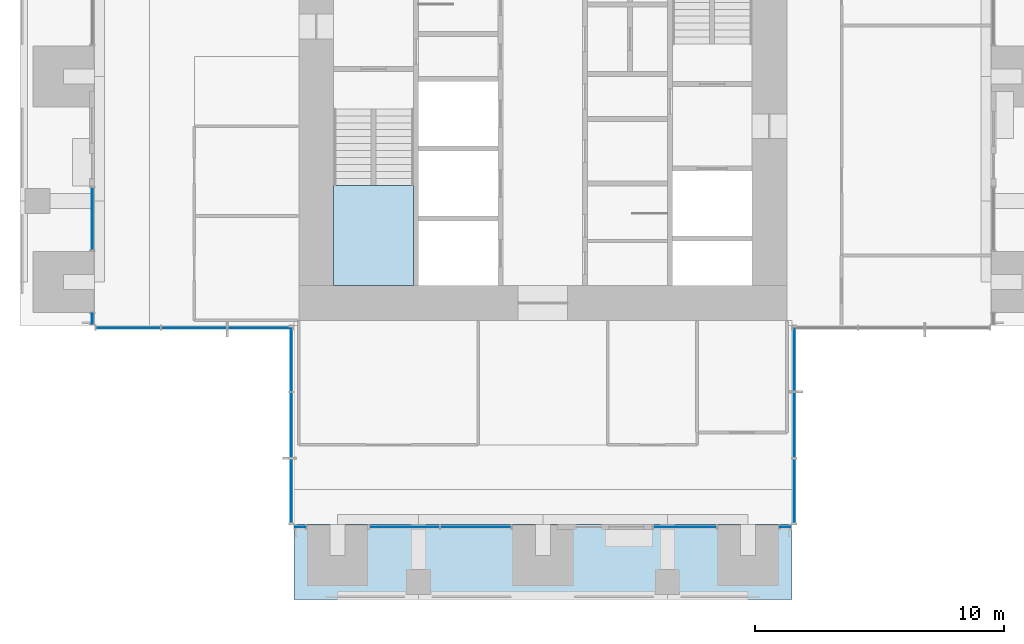
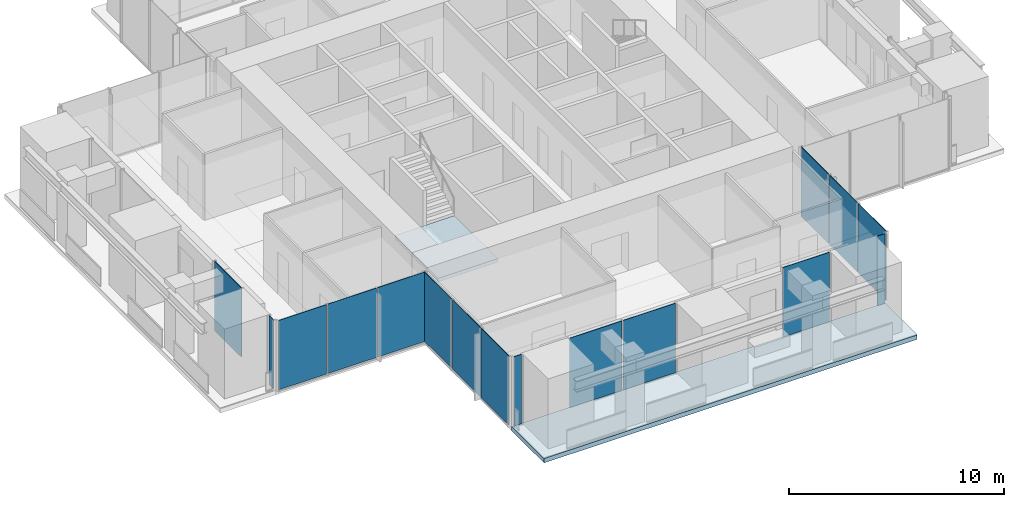
# One storey, part 7 of 17: 16 plates, 2 slabs, 10 elements without a shape of their own.
"""IFC4 building model written with IfcOpenShell, lengths in metres."""

from ifc_helpers import new_model, si_unit, direction, frame, origin, origin_2d, place, context, subcontext, project, spatial, polyline, rectangle, outline, extrude, material, layer, layer_set, type_object, element, aggregate, save


model = new_model("IFC4")

# Units and contexts
model_context = context("Model", 3, precision=1e-05, world=origin(), true_north=direction((0.0, 1.0)))
body_context = subcontext(model_context, "Body", "Model", "MODEL_VIEW")
ifc_project = project(units=[si_unit("LENGTHUNIT", "METRE"), si_unit("AREAUNIT", "SQUARE_METRE"), si_unit("VOLUMEUNIT", "CUBIC_METRE"), si_unit("PLANEANGLEUNIT", "RADIAN"), si_unit("MASSUNIT", "GRAM", prefix="KILO")], contexts=[model_context])

# Site, building, storey
site_placement = place(None, origin())
site = spatial("IfcSite", under=ifc_project, at=site_placement, CompositionType="ELEMENT")
building_placement = place(site_placement, origin())
building = spatial("IfcBuilding", under=site, at=building_placement, Name="Svetlomir Tower", CompositionType="ELEMENT")
storey_placement = place(building_placement, frame((0.0, 0.0, 186.5)))
storey = spatial("IfcBuildingStorey", under=building, at=storey_placement, Name="L44", CompositionType="ELEMENT", Elevation=186.5)

# Curtain wall, plate
ifc_material_1 = material(Name="Bronze anodised aluminium curtain wall", Category="aluminium")
curtain_wall_type = type_object("IfcCurtainWallType", Name="CURTAIN WALL CW1 TOWER OFFICE", PredefinedType="NOTDEFINED", material=ifc_material_1)
curtain_wall_1_placement = place(storey_placement, origin())
curtain_wall_1 = element("IfcCurtainWall", 1, at=curtain_wall_1_placement, inside=storey, type_object=curtain_wall_type, Name="Curtain wall CW1 L44", PredefinedType="NOTDEFINED")
ifc_material_2 = material(Name="Tinted double glazed unit", Category="glass")
ifc_layer_1 = layer(ifc_material_2, 0.031982421875)
ifc_layer_set_1 = layer_set([ifc_layer_1], Name="Tinted double glazed unit")
plate_type = type_object("IfcPlateType", Name="CW1 GLAZED PANEL 32", PredefinedType="CURTAIN_PANEL", material=ifc_layer_set_1)
plate_1_placement = place(storey_placement, frame((11.262451171875, 2.89990234375, 0.06494140625), z_axis=(0.0, 0.0, 1.0), x_axis=(1.0, 0.0, 0.0)))
plate_1 = element("IfcPlate", 2, at=plate_1_placement, type_object=plate_type, Name="CW1 panel 1.1", PredefinedType="CURTAIN_PANEL", context=body_context, shape_type="SweptSolid", body=[
    extrude(rectangle(XDim=0.39501953125, YDim=0.031982421875, at=origin_2d()), origin(), (0.0, 0.0, 1.0), 3.93505859375),
])
aggregate(curtain_wall_1, [plate_1])

# Curtain wall, plates
curtain_wall_2_placement = place(storey_placement, origin())
curtain_wall_2 = element("IfcCurtainWall", 3, at=curtain_wall_2_placement, inside=storey, type_object=curtain_wall_type, Name="Curtain wall CW1 L44", PredefinedType="NOTDEFINED")
plate_2_placement = place(storey_placement, frame((15.441162109375, 2.89990234375, 0.06494140625), z_axis=(0.0, 0.0, 1.0), x_axis=(1.0, 0.0, 0.0)))
plate_2 = element("IfcPlate", 4, at=plate_2_placement, type_object=plate_type, Name="CW1 panel 1.1", PredefinedType="CURTAIN_PANEL", context=body_context, shape_type="SweptSolid", body=[
    extrude(rectangle(XDim=2.802490234375, YDim=0.031982421875, at=origin_2d()), origin(), (0.0, 0.0, 1.0), 3.93505859375),
])
plate_3_placement = place(storey_placement, frame((18.308837890625, 2.89990234375, 0.06494140625), z_axis=(0.0, 0.0, 1.0), x_axis=(1.0, 0.0, 0.0)))
plate_3 = element("IfcPlate", 5, at=plate_3_placement, type_object=plate_type, Name="CW1 panel 2.1", PredefinedType="CURTAIN_PANEL", context=body_context, shape_type="SweptSolid", body=[
    extrude(rectangle(XDim=2.802490234375, YDim=0.031982421875, at=origin_2d()), origin(), (0.0, 0.0, 1.0), 3.93505859375),
])
aggregate(curtain_wall_2, [plate_2, plate_3])

# Curtain wall, plate
curtain_wall_3_placement = place(storey_placement, origin())
curtain_wall_3 = element("IfcCurtainWall", 6, at=curtain_wall_3_placement, inside=storey, type_object=curtain_wall_type, Name="Curtain wall CW1 L44", PredefinedType="NOTDEFINED")
plate_4_placement = place(storey_placement, frame((26.71240234375, 2.89990234375, 0.06494140625), z_axis=(0.0, 0.0, 1.0), x_axis=(1.0, 0.0, 0.0)))
plate_4 = element("IfcPlate", 7, at=plate_4_placement, type_object=plate_type, Name="CW1 panel 1.1", PredefinedType="CURTAIN_PANEL", context=body_context, shape_type="SweptSolid", body=[
    extrude(rectangle(XDim=2.4951171875, YDim=0.031982421875, at=origin_2d()), origin(), (0.0, 0.0, 1.0), 3.93505859375),
])
aggregate(curtain_wall_3, [plate_4])

curtain_wall_4_placement = place(storey_placement, origin())
curtain_wall_4 = element("IfcCurtainWall", 8, at=curtain_wall_4_placement, inside=storey, type_object=curtain_wall_type, Name="Curtain wall CW1 L44", PredefinedType="NOTDEFINED")
plate_5_placement = place(storey_placement, frame((30.737548828125, 2.89990234375, 0.06494140625), z_axis=(0.0, 0.0, 1.0), x_axis=(1.0, 0.0, 0.0)))
plate_5 = element("IfcPlate", 9, at=plate_5_placement, type_object=plate_type, Name="CW1 panel 1.1", PredefinedType="CURTAIN_PANEL", context=body_context, shape_type="SweptSolid", body=[
    extrude(rectangle(XDim=0.39501953125, YDim=0.031982421875, at=origin_2d()), origin(), (0.0, 0.0, 1.0), 3.93505859375),
])
aggregate(curtain_wall_4, [plate_5])

# Curtain wall, plates
curtain_wall_5_placement = place(storey_placement, origin())
curtain_wall_5 = element("IfcCurtainWall", 10, at=curtain_wall_5_placement, inside=storey, type_object=curtain_wall_type, Name="Curtain wall CW1 L44", PredefinedType="NOTDEFINED")
plate_6_placement = place(storey_placement, frame((31.10009765625, 4.349609375, 0.06494140625), z_axis=(0.0, 0.0, 1.0), x_axis=(0.0, 1.0, 0.0)))
plate_6 = element("IfcPlate", 11, at=plate_6_placement, type_object=plate_type, Name="CW1 panel 1.1", PredefinedType="CURTAIN_PANEL", context=body_context, shape_type="SweptSolid", body=[
    extrude(rectangle(XDim=2.569091796875, YDim=0.031982421875, at=origin_2d()), origin(), (0.0, 0.0, 1.0), 3.93505859375),
])
plate_7_placement = place(storey_placement, frame((31.10009765625, 7.0, 0.06494140625), z_axis=(0.0, 0.0, 1.0), x_axis=(0.0, 1.0, 0.0)))
plate_7 = element("IfcPlate", 12, at=plate_7_placement, type_object=plate_type, Name="CW1 panel 2.1", PredefinedType="CURTAIN_PANEL", context=body_context, shape_type="SweptSolid", body=[
    extrude(rectangle(XDim=2.6015625, YDim=0.031982421875, at=origin_2d()), origin(), (0.0, 0.0, 1.0), 3.93505859375),
])
plate_8_placement = place(storey_placement, frame((31.10009765625, 9.650390625, 0.06494140625), z_axis=(0.0, 0.0, 1.0), x_axis=(0.0, 1.0, 0.0)))
plate_8 = element("IfcPlate", 13, at=plate_8_placement, type_object=plate_type, Name="CW1 panel 3.1", PredefinedType="CURTAIN_PANEL", context=body_context, shape_type="SweptSolid", body=[
    extrude(rectangle(XDim=2.569091796875, YDim=0.031982421875, at=origin_2d()), origin(), (0.0, 0.0, 1.0), 3.93505859375),
])
aggregate(curtain_wall_5, [plate_6, plate_7, plate_8])

# Curtain wall, plate
curtain_wall_6_placement = place(storey_placement, origin())
curtain_wall_6 = element("IfcCurtainWall", 14, at=curtain_wall_6_placement, inside=storey, type_object=curtain_wall_type, Name="Curtain wall CW1 L44", PredefinedType="NOTDEFINED")
plate_9_placement = place(storey_placement, frame((2.89990234375, 15.28759765625, 0.06494140625), z_axis=(0.0, 0.0, 1.0), x_axis=(0.0, -1.0, 0.0)))
plate_9 = element("IfcPlate", 15, at=plate_9_placement, type_object=plate_type, Name="CW1 panel 1.1", PredefinedType="CURTAIN_PANEL", context=body_context, shape_type="SweptSolid", body=[
    extrude(rectangle(XDim=2.4951171875, YDim=0.031982421875, at=origin_2d()), origin(), (0.0, 0.0, 1.0), 3.93505859375),
])
aggregate(curtain_wall_6, [plate_9])

curtain_wall_7_placement = place(storey_placement, origin())
curtain_wall_7 = element("IfcCurtainWall", 16, at=curtain_wall_7_placement, inside=storey, type_object=curtain_wall_type, Name="Curtain wall CW1 L44", PredefinedType="NOTDEFINED")
plate_10_placement = place(storey_placement, frame((2.89990234375, 11.262451171875, 0.06494140625), z_axis=(0.0, 0.0, 1.0), x_axis=(0.0, -1.0, 0.0)))
plate_10 = element("IfcPlate", 17, at=plate_10_placement, type_object=plate_type, Name="CW1 panel 1.1", PredefinedType="CURTAIN_PANEL", context=body_context, shape_type="SweptSolid", body=[
    extrude(rectangle(XDim=0.39501953125, YDim=0.031982421875, at=origin_2d()), origin(), (0.0, 0.0, 1.0), 3.93505859375),
])
aggregate(curtain_wall_7, [plate_10])

# Curtain wall, plates
curtain_wall_8_placement = place(storey_placement, origin())
curtain_wall_8 = element("IfcCurtainWall", 18, at=curtain_wall_8_placement, inside=storey, type_object=curtain_wall_type, Name="Curtain wall CW1 L44", PredefinedType="NOTDEFINED")
plate_11_placement = place(storey_placement, frame((4.349609375, 10.89990234375, 0.06494140625), z_axis=(0.0, 0.0, 1.0), x_axis=(1.0, 0.0, 0.0)))
plate_11 = element("IfcPlate", 19, at=plate_11_placement, type_object=plate_type, Name="CW1 panel 1.1", PredefinedType="CURTAIN_PANEL", context=body_context, shape_type="SweptSolid", body=[
    extrude(rectangle(XDim=2.569091796875, YDim=0.031982421875, at=origin_2d()), origin(), (0.0, 0.0, 1.0), 3.93505859375),
])
plate_12_placement = place(storey_placement, frame((7.0, 10.89990234375, 0.06494140625), z_axis=(0.0, 0.0, 1.0), x_axis=(1.0, 0.0, 0.0)))
plate_12 = element("IfcPlate", 20, at=plate_12_placement, type_object=plate_type, Name="CW1 panel 2.1", PredefinedType="CURTAIN_PANEL", context=body_context, shape_type="SweptSolid", body=[
    extrude(rectangle(XDim=2.6015625, YDim=0.031982421875, at=origin_2d()), origin(), (0.0, 0.0, 1.0), 3.93505859375),
])
plate_13_placement = place(storey_placement, frame((9.650390625, 10.89990234375, 0.06494140625), z_axis=(0.0, 0.0, 1.0), x_axis=(1.0, 0.0, 0.0)))
plate_13 = element("IfcPlate", 21, at=plate_13_placement, type_object=plate_type, Name="CW1 panel 3.1", PredefinedType="CURTAIN_PANEL", context=body_context, shape_type="SweptSolid", body=[
    extrude(rectangle(XDim=2.569091796875, YDim=0.031982421875, at=origin_2d()), origin(), (0.0, 0.0, 1.0), 3.93505859375),
])
aggregate(curtain_wall_8, [plate_11, plate_12, plate_13])

curtain_wall_9_placement = place(storey_placement, origin())
curtain_wall_9 = element("IfcCurtainWall", 22, at=curtain_wall_9_placement, inside=storey, type_object=curtain_wall_type, Name="Curtain wall CW1 L44", PredefinedType="NOTDEFINED")
plate_14_placement = place(storey_placement, frame((10.89990234375, 9.650390625, 0.06494140625), z_axis=(0.0, 0.0, 1.0), x_axis=(0.0, -1.0, 0.0)))
plate_14 = element("IfcPlate", 23, at=plate_14_placement, type_object=plate_type, Name="CW1 panel 1.1", PredefinedType="CURTAIN_PANEL", context=body_context, shape_type="SweptSolid", body=[
    extrude(rectangle(XDim=2.569091796875, YDim=0.031982421875, at=origin_2d()), origin(), (0.0, 0.0, 1.0), 3.93505859375),
])
plate_15_placement = place(storey_placement, frame((10.89990234375, 7.0, 0.06494140625), z_axis=(0.0, 0.0, 1.0), x_axis=(0.0, -1.0, 0.0)))
plate_15 = element("IfcPlate", 24, at=plate_15_placement, type_object=plate_type, Name="CW1 panel 2.1", PredefinedType="CURTAIN_PANEL", context=body_context, shape_type="SweptSolid", body=[
    extrude(rectangle(XDim=2.6015625, YDim=0.031982421875, at=origin_2d()), origin(), (0.0, 0.0, 1.0), 3.93505859375),
])
plate_16_placement = place(storey_placement, frame((10.89990234375, 4.349609375, 0.06494140625), z_axis=(0.0, 0.0, 1.0), x_axis=(0.0, -1.0, 0.0)))
plate_16 = element("IfcPlate", 25, at=plate_16_placement, type_object=plate_type, Name="CW1 panel 3.1", PredefinedType="CURTAIN_PANEL", context=body_context, shape_type="SweptSolid", body=[
    extrude(rectangle(XDim=2.569091796875, YDim=0.031982421875, at=origin_2d()), origin(), (0.0, 0.0, 1.0), 3.93505859375),
])
aggregate(curtain_wall_9, [plate_14, plate_15, plate_16])

# Slab
ifc_material_3 = material(Name="Concrete C60/75", Category="concrete")
ifc_layer_2 = layer(ifc_material_3, 0.25)
ifc_layer_set_2 = layer_set([ifc_layer_2], Name="Concrete C60/75")
slab_type_1 = type_object("IfcSlabType", Name="PLANTED LOGGIA SLAB 250", PredefinedType="FLOOR", material=ifc_layer_set_2)
slab_1_placement = place(storey_placement, frame((0.0, 0.0, -0.25)))
element("IfcSlab", 26, at=slab_1_placement, inside=storey, type_object=slab_type_1, Name="L44 S planted loggia", PredefinedType="FLOOR", context=body_context, shape_type="SweptSolid", body=[
    extrude(outline(polyline([(11.0, 0.0), (31.0, 0.0), (31.0, 3.0), (11.0, 3.0), (11.0, 0.0)])), origin(), (0.0, 0.0, 1.0), 0.25),
])

# Stair, slab
ifc_material_4 = material(Name="Concrete C60/75", Category="concrete")
stair_type = type_object("IfcStairType", Name="EXIT STAIR 3200 RISE 4000", PredefinedType="HALF_TURN_STAIR", material=ifc_material_4)
stair_placement = place(storey_placement, origin())
stair = element("IfcStair", 27, at=stair_placement, inside=storey, type_object=stair_type, Name="Stair S1 L44 to L45", PredefinedType="HALF_TURN_STAIR")
ifc_material_5 = material(Name="Concrete C60/75", Category="concrete")
ifc_layer_3 = layer(ifc_material_5, 0.199951171875)
ifc_layer_set_3 = layer_set([ifc_layer_3], Name="Concrete C60/75")
slab_type_2 = type_object("IfcSlabType", Name="STAIR LANDING 200", PredefinedType="LANDING", material=ifc_layer_set_3)
slab_2_placement = place(storey_placement, frame((0.0, 0.0, 1.800048828125)))
slab_2 = element("IfcSlab", 28, at=slab_2_placement, type_object=slab_type_2, Name="S1 landing 1", PredefinedType="LANDING", context=body_context, shape_type="SweptSolid", body=[
    extrude(outline(polyline([(12.60009765625, 12.60009765625), (15.800048828125, 12.60009765625), (15.800048828125, 16.6201171875), (12.60009765625, 16.6201171875), (12.60009765625, 12.60009765625)])), origin(), (0.0, 0.0, 1.0), 0.199951171875),
])
aggregate(stair, [slab_2])

save(model, "model.ifc")
